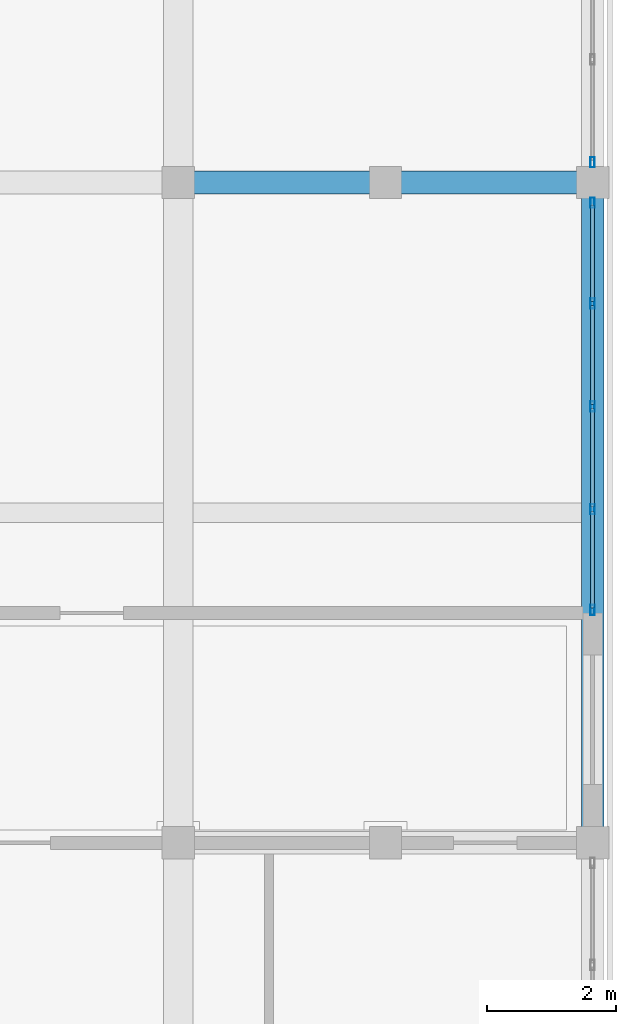
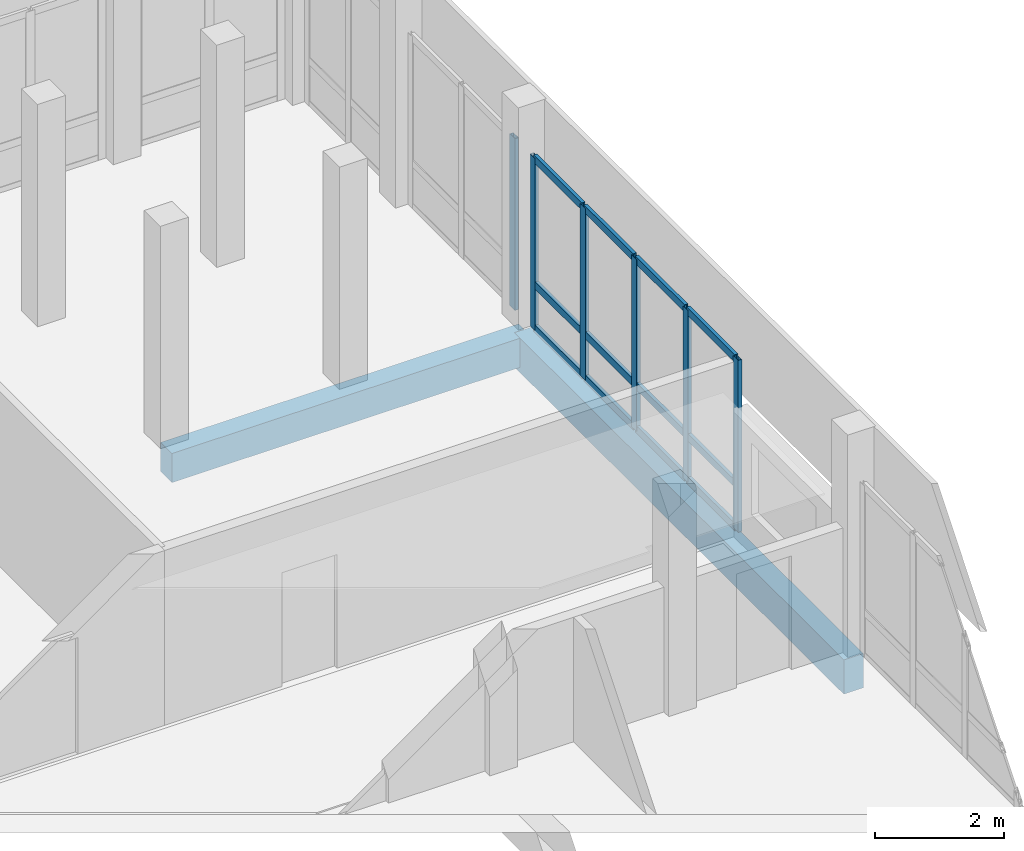
# One storey, part 13 of 29: 18 members, 2 beams, 2 elements without a shape of their own.
"""IFC4 building model written with IfcOpenShell, lengths in metres."""

from ifc_helpers import new_model, si_unit, direction, frame, origin, origin_2d, place, context, subcontext, project, spatial, rectangle, hollow_rectangle, extrude, material, material_profile, profile_set, type_object, element, aggregate, save


model = new_model("IFC4")

# Units and contexts
model_context = context("Model", 3, precision=1e-05, world=origin(), true_north=direction((0.0, 1.0)))
body_context = subcontext(model_context, "Body", "Model", "MODEL_VIEW")
ifc_project = project(units=[si_unit("LENGTHUNIT", "METRE"), si_unit("AREAUNIT", "SQUARE_METRE"), si_unit("VOLUMEUNIT", "CUBIC_METRE"), si_unit("PLANEANGLEUNIT", "RADIAN"), si_unit("MASSUNIT", "GRAM", prefix="KILO")], contexts=[model_context])

# Site, building, storey
site_placement = place(None, origin())
site = spatial("IfcSite", under=ifc_project, at=site_placement, CompositionType="ELEMENT")
building_placement = place(site_placement, origin())
building = spatial("IfcBuilding", under=site, at=building_placement, Name="Vondelvale Polytechnic", CompositionType="ELEMENT")
storey_placement = place(building_placement, frame((0.0, 0.0, 26.39990234375)))
storey = spatial("IfcBuildingStorey", under=building, at=storey_placement, Name="L06", CompositionType="ELEMENT", Elevation=26.39990234375)

# Beam
ifc_material_1 = material(Name="Concrete N40 (f'c = 40 MPa)", Category="concrete")
ifc_material_profile_1 = material_profile(ifc_material_1, rectangle(XDim=0.35009765625, YDim=0.550048828125, at=origin_2d()), Name="RC-BM-350x550")
ifc_profile_set_1 = profile_set([ifc_material_profile_1], Name="Concrete N40 (f'c = 40 MPa)")
beam_type_1 = type_object("IfcBeamType", Name="BM-RC350x550", PredefinedType="BEAM", material=ifc_profile_set_1)
beam_1_placement = place(storey_placement, frame((38.39990234375, 30.60009765625, -0.5), z_axis=(1.0, 0.0, 0.0), x_axis=(0.0, 1.0, 0.0)))
element("IfcBeam", 1, at=beam_1_placement, inside=storey, type_object=beam_type_1, Name="L06 B B-06", PredefinedType="BEAM", context=body_context, shape_type="SweptSolid", body=[
    extrude(rectangle(XDim=0.35009765625, YDim=0.550048828125, at=origin_2d()), origin(), (0.0, 0.0, 1.0), 6.400146484375),
])

# Curtain wall, members
ifc_material_2 = material(Name="Anodised extruded aluminium 6063-T6", Category="aluminium")
curtain_wall_type = type_object("IfcCurtainWallType", Name="CW-STUDIO-NORTH", PredefinedType="NOTDEFINED", material=ifc_material_2)
curtain_wall_1_placement = place(storey_placement, origin())
curtain_wall_1 = element("IfcCurtainWall", 2, at=curtain_wall_1_placement, inside=storey, type_object=curtain_wall_type, Name="L06 architectural curtain wall CW-01-050", PredefinedType="NOTDEFINED")
ifc_material_profile_2 = material_profile(ifc_material_2, hollow_rectangle(XDim=0.06494140625, YDim=0.159912109375, WallThickness=0.0048828125, at=origin_2d()), Name="CW-MUL-160x65")
ifc_profile_set_2 = profile_set([ifc_material_profile_2], Name="Anodised extruded aluminium 6063-T6")
member_type_1 = type_object("IfcMemberType", Name="CW-MUL-65x160", PredefinedType="MULLION", material=ifc_profile_set_2)
member_1_placement = place(storey_placement, frame((44.800048828125, 23.99755859375, 0.0), z_axis=(0.0, 0.0, 1.0), x_axis=(-1.0, 0.0, 0.0)))
member_1 = element("IfcMember", 3, at=member_1_placement, type_object=member_type_1, Name="CW-01-050 mullion 1", PredefinedType="MULLION", context=body_context, shape_type="SweptSolid", body=[
    extrude(hollow_rectangle(XDim=0.06494140625, YDim=0.159912109375, WallThickness=0.0048828125, at=origin_2d()), origin(), (0.0, 0.0, 1.0), 3.25),
])
member_2_placement = place(storey_placement, frame((44.800048828125, 25.5537109375, 0.0), z_axis=(0.0, 0.0, 1.0), x_axis=(-1.0, 0.0, 0.0)))
member_2 = element("IfcMember", 4, at=member_2_placement, type_object=member_type_1, Name="CW-01-050 mullion 2", PredefinedType="MULLION", context=body_context, shape_type="SweptSolid", body=[
    extrude(hollow_rectangle(XDim=0.06494140625, YDim=0.159912109375, WallThickness=0.0048828125, at=origin_2d()), origin(), (0.0, 0.0, 1.0), 3.25),
])
member_3_placement = place(storey_placement, frame((44.800048828125, 27.142578125, 0.0), z_axis=(0.0, 0.0, 1.0), x_axis=(-1.0, 0.0, 0.0)))
member_3 = element("IfcMember", 5, at=member_3_placement, type_object=member_type_1, Name="CW-01-050 mullion 3", PredefinedType="MULLION", context=body_context, shape_type="SweptSolid", body=[
    extrude(hollow_rectangle(XDim=0.06494140625, YDim=0.159912109375, WallThickness=0.0048828125, at=origin_2d()), origin(), (0.0, 0.0, 1.0), 3.25),
])
member_4_placement = place(storey_placement, frame((44.800048828125, 28.731201171875, 0.0), z_axis=(0.0, 0.0, 1.0), x_axis=(-1.0, 0.0, 0.0)))
member_4 = element("IfcMember", 6, at=member_4_placement, type_object=member_type_1, Name="CW-01-050 mullion 4", PredefinedType="MULLION", context=body_context, shape_type="SweptSolid", body=[
    extrude(hollow_rectangle(XDim=0.06494140625, YDim=0.159912109375, WallThickness=0.0048828125, at=origin_2d()), origin(), (0.0, 0.0, 1.0), 3.25),
])
member_5_placement = place(storey_placement, frame((44.800048828125, 30.28759765625, 0.0), z_axis=(0.0, 0.0, 1.0), x_axis=(-1.0, 0.0, 0.0)))
member_5 = element("IfcMember", 7, at=member_5_placement, type_object=member_type_1, Name="CW-01-050 mullion 5", PredefinedType="MULLION", context=body_context, shape_type="SweptSolid", body=[
    extrude(hollow_rectangle(XDim=0.06494140625, YDim=0.159912109375, WallThickness=0.0048828125, at=origin_2d()), origin(), (0.0, 0.0, 1.0), 3.25),
])

# Curtain wall, member
curtain_wall_2_placement = place(storey_placement, origin())
curtain_wall_2 = element("IfcCurtainWall", 8, at=curtain_wall_2_placement, inside=storey, type_object=curtain_wall_type, Name="L06 architectural curtain wall CW-01-051", PredefinedType="NOTDEFINED")
member_6_placement = place(storey_placement, frame((44.800048828125, 30.91259765625, 0.0), z_axis=(0.0, 0.0, 1.0), x_axis=(-1.0, 0.0, 0.0)))
member_6 = element("IfcMember", 9, at=member_6_placement, type_object=member_type_1, Name="CW-01-051 mullion 1", PredefinedType="MULLION", context=body_context, shape_type="SweptSolid", body=[
    extrude(hollow_rectangle(XDim=0.06494140625, YDim=0.159912109375, WallThickness=0.0048828125, at=origin_2d()), origin(), (0.0, 0.0, 1.0), 3.25),
])
aggregate(curtain_wall_2, [member_6])

# Member
ifc_material_profile_3 = material_profile(ifc_material_2, hollow_rectangle(XDim=0.06005859375, YDim=0.139892578125, WallThickness=0.00341796875, at=origin_2d()), Name="CW-TRN-140x60")
ifc_profile_set_3 = profile_set([ifc_material_profile_3], Name="Anodised extruded aluminium 6063-T6")
member_type_2 = type_object("IfcMemberType", Name="CW-TRN-60x140", PredefinedType="USERDEFINED", material=ifc_profile_set_3)
member_7_placement = place(storey_placement, frame((44.800048828125, 24.030029296875, 0.030029296875), z_axis=(0.0, 1.0, 0.0), x_axis=(-1.0, 0.0, 0.0)))
member_7 = element("IfcMember", 10, at=member_7_placement, type_object=member_type_2, Name="CW-01-050 transom 1.1", ObjectType="TRANSOM", PredefinedType="USERDEFINED", context=body_context, shape_type="SweptSolid", body=[
    extrude(hollow_rectangle(XDim=0.06005859375, YDim=0.139892578125, WallThickness=0.00341796875, at=origin_2d()), origin(), (0.0, 0.0, 1.0), 1.4912109375),
])

member_8_placement = place(storey_placement, frame((44.800048828125, 24.030029296875, 0.85009765625), z_axis=(0.0, 1.0, 0.0), x_axis=(-1.0, 0.0, 0.0)))
member_8 = element("IfcMember", 11, at=member_8_placement, type_object=member_type_2, Name="CW-01-050 transom 1.2", ObjectType="TRANSOM", PredefinedType="USERDEFINED", context=body_context, shape_type="SweptSolid", body=[
    extrude(hollow_rectangle(XDim=0.06005859375, YDim=0.139892578125, WallThickness=0.00341796875, at=origin_2d()), origin(), (0.0, 0.0, 1.0), 1.4912109375),
])

member_9_placement = place(storey_placement, frame((44.800048828125, 24.030029296875, 3.22021484375), z_axis=(0.0, 1.0, 0.0), x_axis=(-1.0, 0.0, 0.0)))
member_9 = element("IfcMember", 12, at=member_9_placement, type_object=member_type_2, Name="CW-01-050 transom 1.3", ObjectType="TRANSOM", PredefinedType="USERDEFINED", context=body_context, shape_type="SweptSolid", body=[
    extrude(hollow_rectangle(XDim=0.06005859375, YDim=0.139892578125, WallThickness=0.00341796875, at=origin_2d()), origin(), (0.0, 0.0, 1.0), 1.4912109375),
])

member_10_placement = place(storey_placement, frame((44.800048828125, 25.586181640625, 0.030029296875), z_axis=(0.0, 1.0, 0.0), x_axis=(-1.0, 0.0, 0.0)))
member_10 = element("IfcMember", 13, at=member_10_placement, type_object=member_type_2, Name="CW-01-050 transom 2.1", ObjectType="TRANSOM", PredefinedType="USERDEFINED", context=body_context, shape_type="SweptSolid", body=[
    extrude(hollow_rectangle(XDim=0.06005859375, YDim=0.139892578125, WallThickness=0.00341796875, at=origin_2d()), origin(), (0.0, 0.0, 1.0), 1.52392578125),
])

member_11_placement = place(storey_placement, frame((44.800048828125, 25.586181640625, 0.85009765625), z_axis=(0.0, 1.0, 0.0), x_axis=(-1.0, 0.0, 0.0)))
member_11 = element("IfcMember", 14, at=member_11_placement, type_object=member_type_2, Name="CW-01-050 transom 2.2", ObjectType="TRANSOM", PredefinedType="USERDEFINED", context=body_context, shape_type="SweptSolid", body=[
    extrude(hollow_rectangle(XDim=0.06005859375, YDim=0.139892578125, WallThickness=0.00341796875, at=origin_2d()), origin(), (0.0, 0.0, 1.0), 1.52392578125),
])

member_12_placement = place(storey_placement, frame((44.800048828125, 25.586181640625, 3.22021484375), z_axis=(0.0, 1.0, 0.0), x_axis=(-1.0, 0.0, 0.0)))
member_12 = element("IfcMember", 15, at=member_12_placement, type_object=member_type_2, Name="CW-01-050 transom 2.3", ObjectType="TRANSOM", PredefinedType="USERDEFINED", context=body_context, shape_type="SweptSolid", body=[
    extrude(hollow_rectangle(XDim=0.06005859375, YDim=0.139892578125, WallThickness=0.00341796875, at=origin_2d()), origin(), (0.0, 0.0, 1.0), 1.52392578125),
])

member_13_placement = place(storey_placement, frame((44.800048828125, 27.175048828125, 0.030029296875), z_axis=(0.0, 1.0, 0.0), x_axis=(-1.0, 0.0, 0.0)))
member_13 = element("IfcMember", 16, at=member_13_placement, type_object=member_type_2, Name="CW-01-050 transom 3.1", ObjectType="TRANSOM", PredefinedType="USERDEFINED", context=body_context, shape_type="SweptSolid", body=[
    extrude(hollow_rectangle(XDim=0.06005859375, YDim=0.139892578125, WallThickness=0.00341796875, at=origin_2d()), origin(), (0.0, 0.0, 1.0), 1.523681640625),
])

member_14_placement = place(storey_placement, frame((44.800048828125, 27.175048828125, 0.85009765625), z_axis=(0.0, 1.0, 0.0), x_axis=(-1.0, 0.0, 0.0)))
member_14 = element("IfcMember", 17, at=member_14_placement, type_object=member_type_2, Name="CW-01-050 transom 3.2", ObjectType="TRANSOM", PredefinedType="USERDEFINED", context=body_context, shape_type="SweptSolid", body=[
    extrude(hollow_rectangle(XDim=0.06005859375, YDim=0.139892578125, WallThickness=0.00341796875, at=origin_2d()), origin(), (0.0, 0.0, 1.0), 1.523681640625),
])

member_15_placement = place(storey_placement, frame((44.800048828125, 27.175048828125, 3.22021484375), z_axis=(0.0, 1.0, 0.0), x_axis=(-1.0, 0.0, 0.0)))
member_15 = element("IfcMember", 18, at=member_15_placement, type_object=member_type_2, Name="CW-01-050 transom 3.3", ObjectType="TRANSOM", PredefinedType="USERDEFINED", context=body_context, shape_type="SweptSolid", body=[
    extrude(hollow_rectangle(XDim=0.06005859375, YDim=0.139892578125, WallThickness=0.00341796875, at=origin_2d()), origin(), (0.0, 0.0, 1.0), 1.523681640625),
])

member_16_placement = place(storey_placement, frame((44.800048828125, 28.763671875, 0.030029296875), z_axis=(0.0, 1.0, 0.0), x_axis=(-1.0, 0.0, 0.0)))
member_16 = element("IfcMember", 19, at=member_16_placement, type_object=member_type_2, Name="CW-01-050 transom 4.1", ObjectType="TRANSOM", PredefinedType="USERDEFINED", context=body_context, shape_type="SweptSolid", body=[
    extrude(hollow_rectangle(XDim=0.06005859375, YDim=0.139892578125, WallThickness=0.00341796875, at=origin_2d()), origin(), (0.0, 0.0, 1.0), 1.4912109375),
])

member_17_placement = place(storey_placement, frame((44.800048828125, 28.763671875, 0.85009765625), z_axis=(0.0, 1.0, 0.0), x_axis=(-1.0, 0.0, 0.0)))
member_17 = element("IfcMember", 20, at=member_17_placement, type_object=member_type_2, Name="CW-01-050 transom 4.2", ObjectType="TRANSOM", PredefinedType="USERDEFINED", context=body_context, shape_type="SweptSolid", body=[
    extrude(hollow_rectangle(XDim=0.06005859375, YDim=0.139892578125, WallThickness=0.00341796875, at=origin_2d()), origin(), (0.0, 0.0, 1.0), 1.4912109375),
])

member_18_placement = place(storey_placement, frame((44.800048828125, 28.763671875, 3.22021484375), z_axis=(0.0, 1.0, 0.0), x_axis=(-1.0, 0.0, 0.0)))
member_18 = element("IfcMember", 21, at=member_18_placement, type_object=member_type_2, Name="CW-01-050 transom 4.3", ObjectType="TRANSOM", PredefinedType="USERDEFINED", context=body_context, shape_type="SweptSolid", body=[
    extrude(hollow_rectangle(XDim=0.06005859375, YDim=0.139892578125, WallThickness=0.00341796875, at=origin_2d()), origin(), (0.0, 0.0, 1.0), 1.4912109375),
])

aggregate(curtain_wall_1, [member_1, member_2, member_3, member_4, member_5, member_7, member_8, member_9, member_10, member_11, member_12, member_13, member_14, member_15, member_16, member_17, member_18])

# Beam
ifc_material_3 = material(Name="Precast concrete N40 (f'c = 40 MPa)", Category="concrete")
ifc_material_profile_4 = material_profile(ifc_material_3, rectangle(XDim=0.35009765625, YDim=0.64990234375, at=origin_2d()), Name="RC-SPN-350x650")
ifc_profile_set_4 = profile_set([ifc_material_profile_4], Name="Precast concrete N40 (f'c = 40 MPa)")
beam_type_2 = type_object("IfcBeamType", Name="SPN-PRE350x650", PredefinedType="SPANDREL", material=ifc_profile_set_4)
beam_2_placement = place(storey_placement, frame((44.800048828125, 20.39990234375, -0.5498046875), z_axis=(0.0, 1.0, 0.0), x_axis=(-1.0, 0.0, 0.0)))
element("IfcBeam", 22, at=beam_2_placement, inside=storey, type_object=beam_type_2, Name="L06 B SP-02", PredefinedType="SPANDREL", context=body_context, shape_type="SweptSolid", body=[
    extrude(rectangle(XDim=0.35009765625, YDim=0.64990234375, at=origin_2d()), origin(), (0.0, 0.0, 1.0), 10.2001953125),
])

save(model, "model.ifc")
